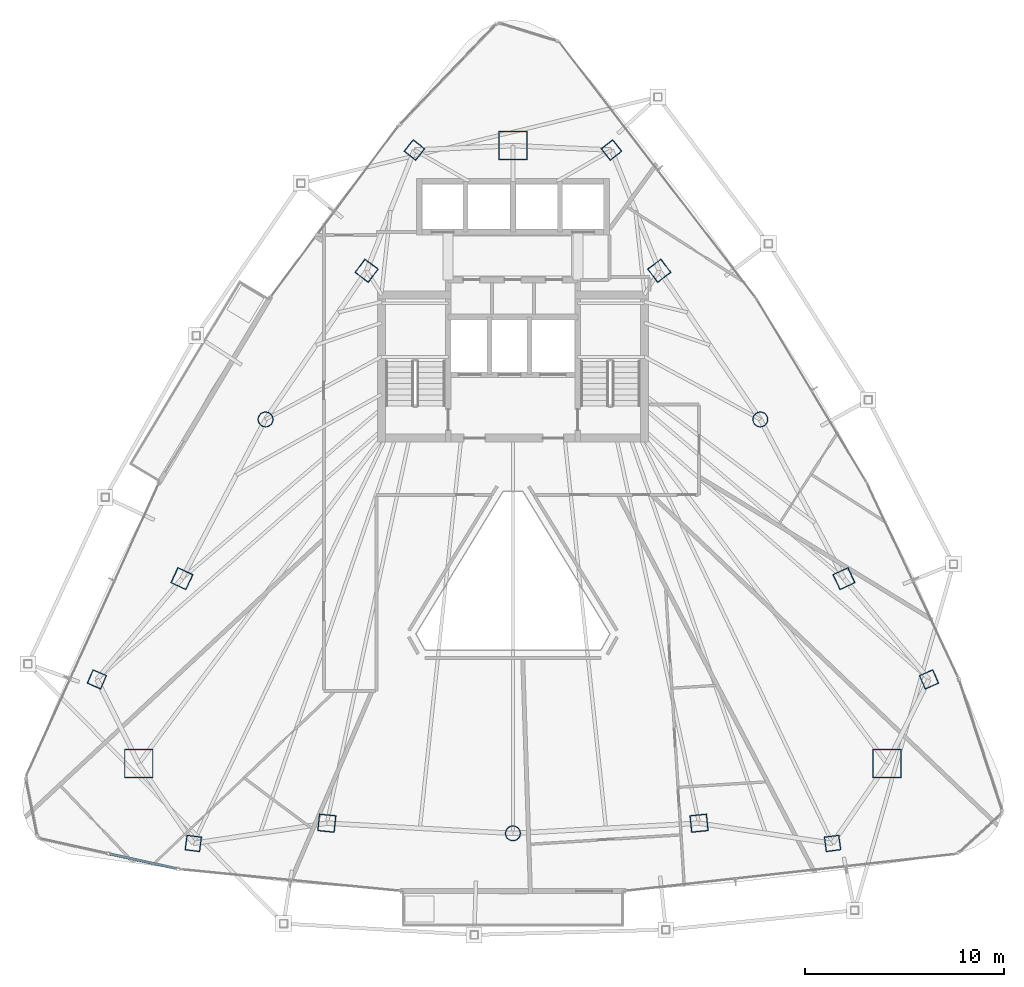
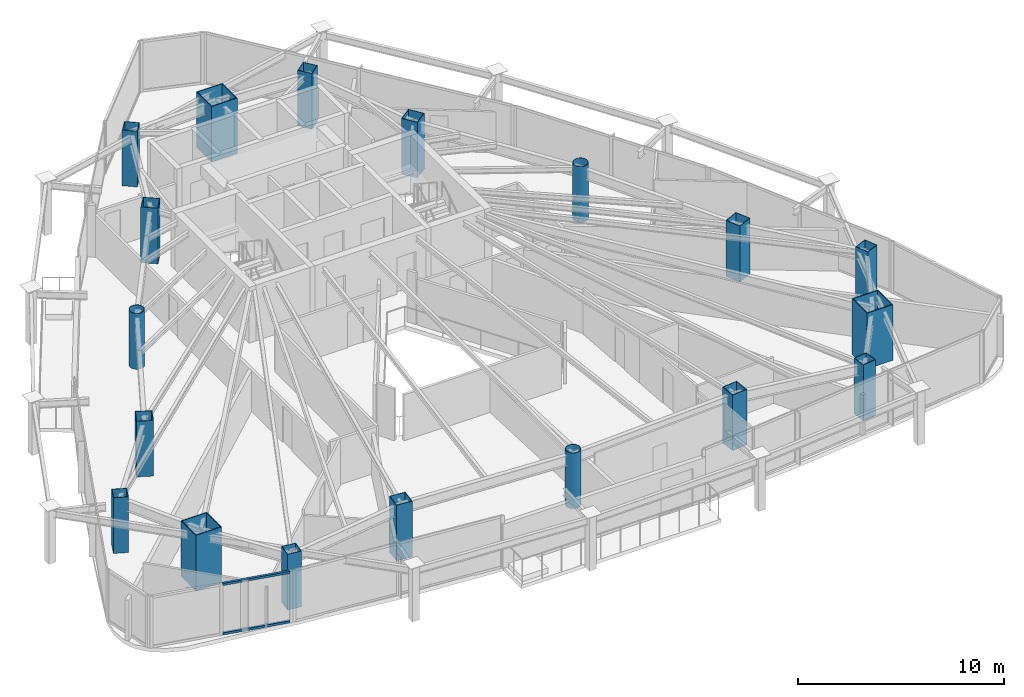
# One storey, part 1 of 29: 18 columns, 2 members, 1 element without a shape of its own.
"""IFC4 building model written with IfcOpenShell, lengths in metres."""

from ifc_helpers import new_model, si_unit, direction, frame, origin, origin_2d, place, context, subcontext, project, spatial, hollow_rectangle, hollow_circle, extrude, material, layer, layer_set, material_profile, profile_set, type_object, element, aggregate, save


model = new_model("IFC4")

# Units and contexts
model_context = context("Model", 3, precision=1e-05, world=origin(), true_north=direction((0.0, 1.0)))
body_context = subcontext(model_context, "Body", "Model", "MODEL_VIEW")
ifc_project = project(units=[si_unit("LENGTHUNIT", "METRE"), si_unit("AREAUNIT", "SQUARE_METRE"), si_unit("VOLUMEUNIT", "CUBIC_METRE"), si_unit("PLANEANGLEUNIT", "RADIAN"), si_unit("MASSUNIT", "GRAM", prefix="KILO")], contexts=[model_context])

# Site, building, storey
site_placement = place(None, origin())
site = spatial("IfcSite", under=ifc_project, at=site_placement, CompositionType="ELEMENT")
building_placement = place(site_placement, origin())
building = spatial("IfcBuilding", under=site, at=building_placement, Name="Orvanel Arch Residences", CompositionType="ELEMENT")
storey_placement = place(building_placement, frame((0.0, 0.0, 177.050048828125)))
storey = spatial("IfcBuildingStorey", under=building, at=storey_placement, Name="L50", CompositionType="ELEMENT", Elevation=177.050048828125)

# Columns
ifc_material_1 = material(Name="Structural steel AS/NZS 1163 C450L0 (Grade 450)", Category="steel")
ifc_material_profile_1 = material_profile(ifc_material_1, hollow_circle(Radius=0.381103515625, WallThickness=0.02197265625, at=origin_2d()), Name="CHS762x22")
ifc_profile_set_1 = profile_set([ifc_material_profile_1], Name="Structural steel AS/NZS 1163 C450L0 (Grade 450)")
column_type_1 = type_object("IfcColumnType", Name="CC-762", PredefinedType="COLUMN", material=ifc_profile_set_1)
for number, where, z_axis, x_axis, name in (
    (1, (20.569091796875, 27.64111328125, 0.0), (0.0, 0.0, 1.0), (1.0, 0.0, 0.0), "L50 High-Rise Tube Column 02"),
    (2, (33.0, 6.843994140625, 0.0), (0.0, 0.0, 1.0), (1.0, 0.0, 0.0), "L50 High-Rise Tube Column 05"),
    (3, (45.430908203125, 27.64111328125, 0.0), (0.0, 0.0, 1.0), (1.0, 0.0, 0.0), "L50 High-Rise Tube Column 08"),
):
    element("IfcColumn", number, at=place(storey_placement, frame(where, z_axis=z_axis, x_axis=x_axis)), inside=storey, type_object=column_type_1, Name=name, PredefinedType="COLUMN", context=body_context, shape_type="SweptSolid", body=[
        extrude(hollow_circle(Radius=0.381103515625, WallThickness=0.02197265625, at=origin_2d()), origin(), (0.0, 0.0, 1.0), 3.300048828125),
    ])
ifc_material_2 = material(Name="Structural steel AS/NZS 3678 Grade 450", Category="steel")
ifc_material_profile_2 = material_profile(ifc_material_2, hollow_rectangle(XDim=1.449951171875, YDim=1.449951171875, WallThickness=0.044921875, at=origin_2d()), Name="BOX1450x1450x45")
ifc_profile_set_2 = profile_set([ifc_material_profile_2], Name="Structural steel AS/NZS 3678 Grade 450")
column_type_2 = type_object("IfcColumnType", Name="MC-1450", PredefinedType="COLUMN", material=ifc_profile_set_2)
for number, where, z_axis, x_axis, name in (
    (4, (33.0, 41.39794921875, 0.0), (0.0, 0.0, 1.0), (1.0, 0.0, 0.0), "L50 Corner Mega-Column 1"),
    (5, (14.198974609375, 10.35107421875, 0.0), (0.0, 0.0, 1.0), (1.0, 0.0, 0.0), "L50 Corner Mega-Column 2"),
    (6, (51.801025390625, 10.35107421875, 0.0), (0.0, 0.0, 1.0), (1.0, 0.0, 0.0), "L50 Corner Mega-Column 3"),
):
    element("IfcColumn", number, at=place(storey_placement, frame(where, z_axis=z_axis, x_axis=x_axis)), inside=storey, type_object=column_type_2, Name=name, PredefinedType="COLUMN", context=body_context, shape_type="SweptSolid", body=[
        extrude(hollow_rectangle(XDim=1.449951171875, YDim=1.449951171875, WallThickness=0.044921875, at=origin_2d()), origin(), (0.0, 0.0, 1.0), 3.300048828125),
    ])
ifc_material_3 = material(Name="Structural steel AS/NZS 3678 Grade 350", Category="steel")
ifc_material_profile_3 = material_profile(ifc_material_3, hollow_rectangle(XDim=0.75, YDim=0.75, WallThickness=0.02490234375, at=origin_2d()), Name="BOX750x750x25")
ifc_profile_set_3 = profile_set([ifc_material_profile_3], Name="Structural steel AS/NZS 3678 Grade 350")
column_type_3 = type_object("IfcColumnType", Name="TC-750", PredefinedType="COLUMN", material=ifc_profile_set_3)
for number, where, z_axis, x_axis, name in (
    (7, (28.050048828125, 41.177978515625, 0.0), (0.0, 0.0, 1.0), (0.623879596709, 0.781520472419, 0.0), "L50 Mid-Rise Buttress Tube Column 01"),
    (8, (12.094970703125, 14.580078125, 0.0), (0.0, 0.0, 1.0), (0.397147890635, 0.917754625684, 0.0), "L50 Mid-Rise Buttress Tube Column 02"),
    (9, (16.94091796875, 6.339111328125, 0.0), (0.0, 0.0, 1.0), (-0.99189444259, 0.127064608601, 0.0), "L50 Mid-Rise Buttress Tube Column 03"),
    (10, (49.05908203125, 6.339111328125, 0.0), (0.0, 0.0, 1.0), (0.99189444259, 0.127064608601, 0.0), "L50 Mid-Rise Buttress Tube Column 04"),
    (11, (53.905029296875, 14.580078125, 0.0), (0.0, 0.0, 1.0), (-0.397147890635, 0.917754625684, 0.0), "L50 Mid-Rise Buttress Tube Column 05"),
    (12, (37.949951171875, 41.177978515625, 0.0), (0.0, 0.0, 1.0), (-0.623879596709, 0.781520472419, 0.0), "L50 Mid-Rise Buttress Tube Column 06"),
):
    element("IfcColumn", number, at=place(storey_placement, frame(where, z_axis=z_axis, x_axis=x_axis)), inside=storey, type_object=column_type_3, Name=name, PredefinedType="COLUMN", context=body_context, shape_type="SweptSolid", body=[
        extrude(hollow_rectangle(XDim=0.75, YDim=0.75, WallThickness=0.02490234375, at=origin_2d()), origin(), (0.0, 0.0, 1.0), 3.300048828125),
    ])
ifc_material_profile_4 = material_profile(ifc_material_3, hollow_rectangle(XDim=0.85009765625, YDim=0.85009765625, WallThickness=0.028076171875, at=origin_2d()), Name="BOX850x850x28")
ifc_profile_set_4 = profile_set([ifc_material_profile_4], Name="Structural steel AS/NZS 3678 Grade 350")
column_type_4 = type_object("IfcColumnType", Name="TC-850", PredefinedType="COLUMN", material=ifc_profile_set_4)
for number, where, z_axis, x_axis, name in (
    (13, (25.64794921875, 35.113037109375, 0.0), (0.0, 0.0, 1.0), (0.600420225326, 0.799684658487, 0.0), "L50 High-Rise Tube Column 01"),
    (14, (16.366943359375, 19.64208984375, 0.0), (0.0, 0.0, 1.0), (0.422618261741, 0.906307787037, 0.0), "L50 High-Rise Tube Column 03"),
    (15, (23.64892578125, 7.35498046875, 0.0), (0.0, 0.0, 1.0), (-0.994880708829, 0.101056297183, 0.0), "L50 High-Rise Tube Column 04"),
    (16, (42.35107421875, 7.35498046875, 0.0), (0.0, 0.0, 1.0), (0.994880708829, 0.101056297183, 0.0), "L50 High-Rise Tube Column 06"),
    (17, (49.633056640625, 19.64208984375, 0.0), (0.0, 0.0, 1.0), (-0.422618261741, 0.906307787037, 0.0), "L50 High-Rise Tube Column 07"),
    (18, (40.35205078125, 35.113037109375, 0.0), (0.0, 0.0, 1.0), (-0.600420225326, 0.799684658487, 0.0), "L50 High-Rise Tube Column 09"),
):
    element("IfcColumn", number, at=place(storey_placement, frame(where, z_axis=z_axis, x_axis=x_axis)), inside=storey, type_object=column_type_4, Name=name, PredefinedType="COLUMN", context=body_context, shape_type="SweptSolid", body=[
        extrude(hollow_rectangle(XDim=0.85009765625, YDim=0.85009765625, WallThickness=0.028076171875, at=origin_2d()), origin(), (0.0, 0.0, 1.0), 3.300048828125),
    ])

# Curtain wall, members
ifc_material_4 = material(Name="Bronze-anodised aluminium AA6063-T6", Category="aluminium")
ifc_layer = layer(ifc_material_4, 0.18994140625)
ifc_layer_set = layer_set([ifc_layer], Name="Bronze-anodised aluminium AA6063-T6")
curtain_wall_type = type_object("IfcCurtainWallType", Name="CW5-CRN-SYS", PredefinedType="NOTDEFINED", material=ifc_layer_set)
curtain_wall_placement = place(storey_placement, origin())
curtain_wall = element("IfcCurtainWall", 19, at=curtain_wall_placement, inside=storey, type_object=curtain_wall_type, Name="L50 CW5-CRN-SYS Unitised Curtain Wall", PredefinedType="NOTDEFINED")
ifc_material_profile_5 = material_profile(ifc_material_4, hollow_rectangle(XDim=0.1298828125, YDim=0.1298828125, WallThickness=0.00439453125, at=origin_2d()), Name="ALU130x130x4.5")
ifc_profile_set_5 = profile_set([ifc_material_profile_5], Name="Bronze-anodised aluminium AA6063-T6")
member_type = type_object("IfcMemberType", Name="TRN-130x130", PredefinedType="USERDEFINED", material=ifc_profile_set_5)
member_1_placement = place(storey_placement, frame((12.76416015625, 5.809326171875, 0.06494140625), z_axis=(0.97655074982, -0.215287326674, 0.0), x_axis=(0.215287326674, 0.97655074982, 0.0)))
member_1 = element("IfcMember", 20, at=member_1_placement, type_object=member_type, Name="CW-S5 transom 2.1", ObjectType="TRANSOM", PredefinedType="USERDEFINED", context=body_context, shape_type="SweptSolid", body=[
    extrude(hollow_rectangle(XDim=0.1298828125, YDim=0.1298828125, WallThickness=0.00439453125, at=origin_2d()), origin(), (0.0, 0.0, 1.0), 3.41455078125),
])
member_2_placement = place(storey_placement, frame((12.76416015625, 5.809326171875, 2.994873046875), z_axis=(0.97655074982, -0.215287326674, 0.0), x_axis=(0.215287326674, 0.97655074982, 0.0)))
member_2 = element("IfcMember", 21, at=member_2_placement, type_object=member_type, Name="CW-S5 transom 2.2", ObjectType="TRANSOM", PredefinedType="USERDEFINED", context=body_context, shape_type="SweptSolid", body=[
    extrude(hollow_rectangle(XDim=0.1298828125, YDim=0.1298828125, WallThickness=0.00439453125, at=origin_2d()), origin(), (0.0, 0.0, 1.0), 3.41455078125),
])
aggregate(curtain_wall, [member_1, member_2])

save(model, "model.ifc")
